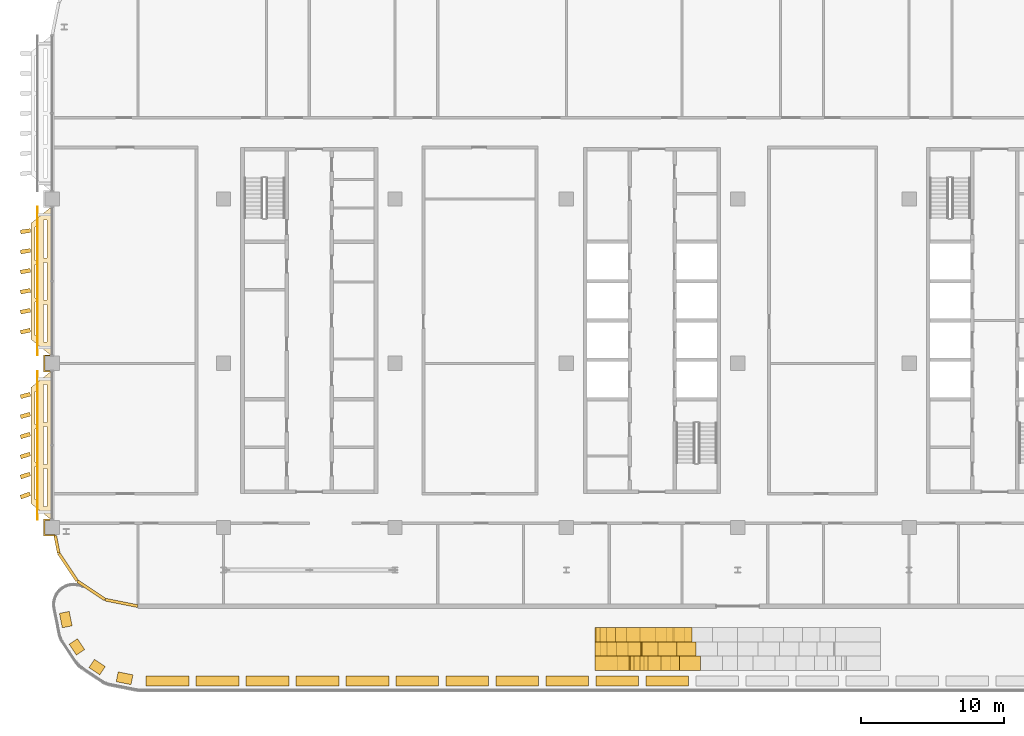
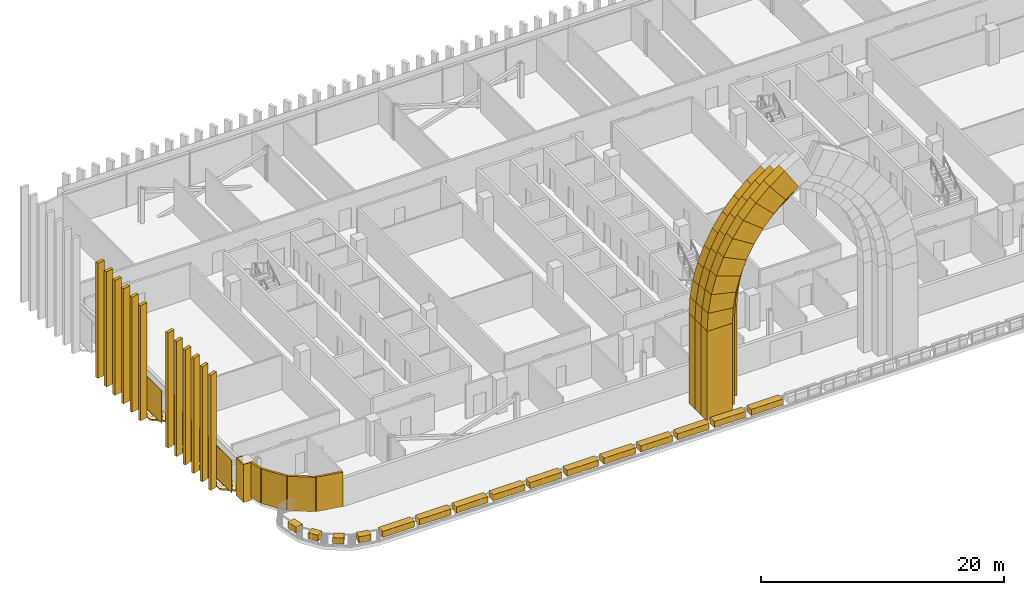
# One storey, part 22 of 30: 67 coverings.
"""IFC4 building model written with IfcOpenShell, lengths in metres."""

from ifc_helpers import new_model, si_unit, direction, frame, origin, origin_2d, place, context, subcontext, project, spatial, polyline, rectangle, outline, extrude, material, layer, layer_set, type_object, element, save


model = new_model("IFC4")

# Units and contexts
model_context = context("Model", 3, precision=1e-05, world=origin(), true_north=direction((0.0, 1.0)))
body_context = subcontext(model_context, "Body", "Model", "MODEL_VIEW")
ifc_project = project(units=[si_unit("LENGTHUNIT", "METRE"), si_unit("AREAUNIT", "SQUARE_METRE"), si_unit("VOLUMEUNIT", "CUBIC_METRE"), si_unit("PLANEANGLEUNIT", "RADIAN"), si_unit("MASSUNIT", "GRAM", prefix="KILO")], contexts=[model_context])

# Site, building, storey
site_placement = place(None, origin())
site = spatial("IfcSite", under=ifc_project, at=site_placement, CompositionType="ELEMENT")
building_placement = place(site_placement, origin())
building = spatial("IfcBuilding", under=site, at=building_placement, Name="Mahtab Terrace Research Tower", CompositionType="ELEMENT")
storey_placement = place(building_placement, frame((0.0, 0.0, 228.60009765625)))
storey = spatial("IfcBuildingStorey", under=building, at=storey_placement, Name="L55", CompositionType="ELEMENT", Elevation=228.60009765625)

# Coverings
ifc_material_1 = material(Name="Black aluminium cladding panel", Category="aluminium")
ifc_layer_1 = layer(ifc_material_1, 0.199951171875)
ifc_layer_set_1 = layer_set([ifc_layer_1], Name="Black metal corner cladding 200")
covering_type_1 = type_object("IfcCoveringType", Name="Black metal corner cladding 200", PredefinedType="CLADDING", material=ifc_layer_set_1)
covering_1_placement = place(storey_placement, frame((-41.668212890625, -12.6669921875, 0.0), z_axis=(0.0, 0.0, 1.0), x_axis=(0.195212442692, -0.980760981187, 0.0)))
element("IfcCovering", 1, at=covering_1_placement, inside=storey, type_object=covering_type_1, Name="Corner cladding L55 11", PredefinedType="CLADDING", context=body_context, shape_type="SweptSolid", body=[
    extrude(rectangle(XDim=1.24267578125, YDim=0.199951171875, at=origin_2d()), origin(), (0.0, 0.0, 1.0), 3.4599609375),
])
for number, where, z_axis, x_axis, name in (
    (2, (-40.89306640625, -14.26953125, 0.0), (0.0, 0.0, 1.0), (0.555291490808, -0.831655794326, 0.0), "Corner cladding L55 12"),
    (3, (-39.26953125, -15.89306640625, 0.0), (0.0, 0.0, 1.0), (0.831655794326, -0.555291490808, 0.0), "Corner cladding L55 13"),
    (4, (-37.14794921875, -16.771484375, 0.0), (0.0, 0.0, 1.0), (0.980760981187, -0.195212442692, 0.0), "Corner cladding L55 14"),
):
    element("IfcCovering", number, at=place(storey_placement, frame(where, z_axis=z_axis, x_axis=x_axis)), inside=storey, type_object=covering_type_1, Name=name, PredefinedType="CLADDING", context=body_context, shape_type="SweptSolid", body=[
        extrude(rectangle(XDim=2.30126953125, YDim=0.199951171875, at=origin_2d()), origin(), (0.0, 0.0, 1.0), 3.4599609375),
    ])
ifc_material_2 = material(Name="Dark anodised aluminium cladding", Category="aluminium")
ifc_layer_2 = layer(ifc_material_2, 0.10009765625)
ifc_layer_set_2 = layer_set([ifc_layer_2], Name="Column casing 100")
covering_type_2 = type_object("IfcCoveringType", Name="Column casing 100", PredefinedType="CLADDING", material=ifc_layer_set_2)
covering_2_placement = place(storey_placement, frame((0.0, 0.0, -0.340087890625)))
element("IfcCovering", 5, at=covering_2_placement, inside=storey, type_object=covering_type_2, Name="Column casing RC-1A L55", PredefinedType="CLADDING", context=body_context, shape_type="SweptSolid", body=[
    extrude(outline(polyline([(-42.60009765625, -10.89990234375), (-42.0, -10.89990234375), (-42.0, -11.0), (-42.5, -11.0), (-42.5, -12.0), (-41.801025390625, -12.0), (-41.781005859375, -12.10009765625), (-42.60009765625, -12.10009765625), (-42.60009765625, -10.89990234375)])), origin(), (0.0, 0.0, 1.0), 3.800048828125),
])
covering_3_placement = place(storey_placement, frame((0.0, 0.0, -0.340087890625)))
element("IfcCovering", 6, at=covering_3_placement, inside=storey, type_object=covering_type_2, Name="Column casing RC-1B L55", PredefinedType="CLADDING", context=body_context, shape_type="SweptSolid", body=[
    extrude(outline(polyline([(-42.60009765625, 0.60009765625), (-42.0, 0.60009765625), (-42.0, 0.5), (-42.5, 0.5), (-42.5, -0.5), (-42.0, -0.5), (-42.0, -0.60009765625), (-42.60009765625, -0.60009765625), (-42.60009765625, 0.60009765625)])), origin(), (0.0, 0.0, 1.0), 3.800048828125),
])
ifc_material_3 = material(Name="Black anodised aluminium", Category="aluminium")
ifc_layer_3 = layer(ifc_material_3, 0.14990234375)
ifc_layer_set_3 = layer_set([ifc_layer_3], Name="Horizontal sunshade band")
covering_type_3 = type_object("IfcCoveringType", Name="Horizontal sunshade band", PredefinedType="CLADDING", material=ifc_layer_set_3)
covering_4_placement = place(storey_placement, frame((0.0, 0.0, -0.150146484375)))
element("IfcCovering", 7, at=covering_4_placement, inside=storey, type_object=covering_type_3, Name="Sunshade band L55 9", PredefinedType="CLADDING", context=body_context, shape_type="SweptSolid", body=[
    extrude(outline(polyline([(-42.0, 11.0), (-42.0, 0.5), (-43.5, 1.699951171875), (-43.5, 9.800048828125), (-42.0, 11.0)]), holes=[polyline([(-42.35009765625, 10.02001953125), (-42.35009765625, 7.373046875), (-42.60009765625, 7.373046875), (-42.60009765625, 10.02001953125), (-42.35009765625, 10.02001953125)]), polyline([(-42.35009765625, 7.072998046875), (-42.35009765625, 4.427001953125), (-42.60009765625, 4.427001953125), (-42.60009765625, 7.072998046875), (-42.35009765625, 7.072998046875)]), polyline([(-42.35009765625, 4.126953125), (-42.35009765625, 1.47998046875), (-42.60009765625, 1.47998046875), (-42.60009765625, 4.126953125), (-42.35009765625, 4.126953125)]), polyline([(-42.949951171875, 9.5400390625), (-42.949951171875, 7.212890625), (-43.199951171875, 7.212890625), (-43.199951171875, 9.5400390625), (-42.949951171875, 9.5400390625)]), polyline([(-42.949951171875, 6.9130859375), (-42.949951171875, 4.5869140625), (-43.199951171875, 4.5869140625), (-43.199951171875, 6.9130859375), (-42.949951171875, 6.9130859375)]), polyline([(-42.949951171875, 4.287109375), (-42.949951171875, 1.9599609375), (-43.199951171875, 1.9599609375), (-43.199951171875, 4.287109375), (-42.949951171875, 4.287109375)])]), origin(), (0.0, 0.0, 1.0), 0.150146484375),
])
covering_5_placement = place(storey_placement, frame((0.0, 0.0, -0.150146484375)))
element("IfcCovering", 8, at=covering_5_placement, inside=storey, type_object=covering_type_3, Name="Sunshade band L55 10", PredefinedType="CLADDING", context=body_context, shape_type="SweptSolid", body=[
    extrude(outline(polyline([(-42.0, -0.5), (-42.0, -11.0), (-43.5, -9.800048828125), (-43.5, -1.699951171875), (-42.0, -0.5)]), holes=[polyline([(-42.35009765625, -1.47998046875), (-42.35009765625, -4.126953125), (-42.60009765625, -4.126953125), (-42.60009765625, -1.47998046875), (-42.35009765625, -1.47998046875)]), polyline([(-42.35009765625, -4.427001953125), (-42.35009765625, -7.072998046875), (-42.60009765625, -7.072998046875), (-42.60009765625, -4.427001953125), (-42.35009765625, -4.427001953125)]), polyline([(-42.35009765625, -7.373046875), (-42.35009765625, -10.02001953125), (-42.60009765625, -10.02001953125), (-42.60009765625, -7.373046875), (-42.35009765625, -7.373046875)]), polyline([(-42.949951171875, -1.9599609375), (-42.949951171875, -4.287109375), (-43.199951171875, -4.287109375), (-43.199951171875, -1.9599609375), (-42.949951171875, -1.9599609375)]), polyline([(-42.949951171875, -4.5869140625), (-42.949951171875, -6.9130859375), (-43.199951171875, -6.9130859375), (-43.199951171875, -4.5869140625), (-42.949951171875, -4.5869140625)]), polyline([(-42.949951171875, -7.212890625), (-42.949951171875, -9.5400390625), (-43.199951171875, -9.5400390625), (-43.199951171875, -7.212890625), (-42.949951171875, -7.212890625)])]), origin(), (0.0, 0.0, 1.0), 0.150146484375),
])
ifc_material_4 = material(Name="Glazed ceramic tile cladding", Category="masonry")
ifc_layer_4 = layer(ifc_material_4, 1.0)
ifc_layer_set_4 = layer_set([ifc_layer_4], Name="Iwan portal cladding arch course 800")
covering_type_4 = type_object("IfcCoveringType", Name="Iwan portal cladding arch course 800", PredefinedType="CLADDING", material=ifc_layer_set_4)
covering_6_placement = place(storey_placement, frame((-4.0, -18.5, 9.02978515625), z_axis=(0.0, 1.0, 0.0), x_axis=(0.055437093457, 0.0, 0.998462181892)))
element("IfcCovering", 9, at=covering_6_placement, inside=storey, type_object=covering_type_4, Name="Iwan portal arch course 6.1.1W1", PredefinedType="CLADDING", context=body_context, shape_type="SweptSolid", body=[
    extrude(outline(polyline([(0.0, 0.0), (1.6426628354032278, -1.3877787807814457e-17), (1.420583357484056, 3.993305934573356), (0.22174837382899998, 3.993848727568959), (0.0, 0.0)])), origin(), (0.0, 0.0, -1.0), 1.0),
])
covering_7_placement = place(storey_placement, frame((-3.908935546875, -18.5, 10.669921875), z_axis=(0.0, 1.0, 0.0), x_axis=(0.165677060377, 0.0, 0.986180060468)))
element("IfcCovering", 10, at=covering_7_placement, inside=storey, type_object=covering_type_4, Name="Iwan portal arch course 6.1.1W2", PredefinedType="CLADDING", context=body_context, shape_type="SweptSolid", body=[
    extrude(outline(polyline([(0.0, 0.0), (1.6415830630429322, -5.551115123125783e-17), (1.4193450554209004, 3.9938702539651763), (0.2215506372685931, 3.993335309830307), (0.0, 0.0)])), origin(), (0.0, 0.0, -1.0), 1.0),
])
covering_8_placement = place(storey_placement, frame((-3.636962890625, -18.5, 12.288818359375), z_axis=(0.0, 1.0, 0.0), x_axis=(0.273877063841, 0.0, 0.961764708181)))
element("IfcCovering", 11, at=covering_8_placement, inside=storey, type_object=covering_type_4, Name="Iwan portal arch course 6.1.1W3", PredefinedType="CLADDING", context=body_context, shape_type="SweptSolid", body=[
    extrude(outline(polyline([(0.0, 0.0), (1.6428946826182138, 0.0), (1.4203357913264014, 3.9946980819467073), (0.22144925956694084, 3.9939140655473455), (0.0, 0.0)])), origin(), (0.0, 0.0, -1.0), 1.0),
])
covering_9_placement = place(storey_placement, frame((-3.18701171875, -18.5, 13.868896484375), z_axis=(0.0, 1.0, 0.0), x_axis=(0.379269308261, 0.0, 0.925286329636)))
element("IfcCovering", 12, at=covering_9_placement, inside=storey, type_object=covering_type_4, Name="Iwan portal arch course 6.1.1W4", PredefinedType="CLADDING", context=body_context, shape_type="SweptSolid", body=[
    extrude(outline(polyline([(0.0, 0.0), (1.6427558503407425, 0.0), (1.422137776305045, 3.9941519644603893), (0.22364736885833691, 3.9946372902185354), (0.0, 0.0)])), origin(), (0.0, 0.0, -1.0), 1.0),
])
covering_10_placement = place(storey_placement, frame((-2.56396484375, -18.5, 15.388916015625), z_axis=(0.0, 1.0, 0.0), x_axis=(0.478820864805, 0.0, 0.877912626306)))
element("IfcCovering", 13, at=covering_10_placement, inside=storey, type_object=covering_type_4, Name="Iwan portal arch course 6.1.1W5", PredefinedType="CLADDING", context=body_context, shape_type="SweptSolid", body=[
    extrude(outline(polyline([(0.0, 0.0), (1.6412999717443724, 0.0), (1.4188001105659165, 3.9943428938694208), (0.22040329418192073, 3.994163822091899), (0.0, 0.0)])), origin(), (0.0, 0.0, -1.0), 1.0),
])
covering_11_placement = place(storey_placement, frame((-1.778076171875, -18.5, 16.829833984375), z_axis=(0.0, 1.0, 0.0), x_axis=(0.57345237108, 0.0, 0.819238901727)))
element("IfcCovering", 14, at=covering_11_placement, inside=storey, type_object=covering_type_4, Name="Iwan portal arch course 6.1.1W6", PredefinedType="CLADDING", context=body_context, shape_type="SweptSolid", body=[
    extrude(outline(polyline([(0.0, 0.0), (1.6429240149458537, -1.1102230246251565e-16), (1.4213467601284338, 3.994052927058391), (0.22294006213898498, 3.9943183486951863), (0.0, 0.0)])), origin(), (0.0, 0.0, -1.0), 1.0),
])
covering_12_placement = place(storey_placement, frame((-0.8359375, -18.5, 18.17578125), z_axis=(0.0, 1.0, 0.0), x_axis=(0.660554175067, 0.0, 0.750778383947)))
element("IfcCovering", 15, at=covering_12_placement, inside=storey, type_object=covering_type_4, Name="Iwan portal arch course 6.1.1W7", PredefinedType="CLADDING", context=body_context, shape_type="SweptSolid", body=[
    extrude(outline(polyline([(0.0, 0.0), (1.6425010672149212, 0.0), (1.420553074040769, 3.9940673824729047), (0.2215888051128696, 3.9940522862682677), (0.0, 0.0)])), origin(), (0.0, 0.0, -1.0), 1.0),
])
covering_13_placement = place(storey_placement, frame((0.2490234375, -18.5, 19.408935546875), z_axis=(0.0, 1.0, 0.0), x_axis=(0.739832443814, 0.0, 0.672791167511)))
element("IfcCovering", 16, at=covering_13_placement, inside=storey, type_object=covering_type_4, Name="Iwan portal arch course 6.1.1W8", PredefinedType="CLADDING", context=body_context, shape_type="SweptSolid", body=[
    extrude(outline(polyline([(0.0, 0.0), (1.6423825432165557, 0.0), (1.4205958172984652, 3.993860746021702), (0.22290646608915798, 3.9940140053314326), (0.0, 0.0)])), origin(), (0.0, 0.0, -1.0), 1.0),
])
covering_14_placement = place(storey_placement, frame((1.464111328125, -18.5, 20.513916015625), z_axis=(0.0, 1.0, 0.0), x_axis=(0.80968637444, 0.0, 0.586862824727)))
element("IfcCovering", 17, at=covering_14_placement, inside=storey, type_object=covering_type_4, Name="Iwan portal arch course 6.1.1W9", PredefinedType="CLADDING", context=body_context, shape_type="SweptSolid", body=[
    extrude(outline(polyline([(0.0, 0.0), (1.6424062777333286, 0.0), (1.419830523295164, 3.994594574532145), (0.22117310543967927, 3.993894774256911), (0.0, 0.0)])), origin(), (0.0, 0.0, -1.0), 1.0),
])
covering_15_placement = place(storey_placement, frame((-4.0, -19.5, 9.02978515625), z_axis=(0.0, 1.0, 0.0), x_axis=(0.055414791033, 0.0, 0.998463419928)))
element("IfcCovering", 18, at=covering_15_placement, inside=storey, type_object=covering_type_4, Name="Iwan portal arch course 6.1.2W1", PredefinedType="CLADDING", context=body_context, shape_type="SweptSolid", body=[
    extrude(outline(polyline([(0.0, 0.0), (1.7138150546847593, 0.0), (1.53559528921418, 3.1947165895330354), (0.1773246255060681, 3.195034190673602), (0.0, 0.0)])), origin(), (0.0, 0.0, -1.0), 1.0),
])
covering_16_placement = place(storey_placement, frame((-3.905029296875, -19.5, 10.740966796875), z_axis=(0.0, 1.0, 0.0), x_axis=(0.165785799005, 0.0, 0.986161786345)))
element("IfcCovering", 19, at=covering_16_placement, inside=storey, type_object=covering_type_4, Name="Iwan portal arch course 6.1.2W2", PredefinedType="CLADDING", context=body_context, shape_type="SweptSolid", body=[
    extrude(outline(polyline([(0.0, 0.0), (1.7126650688919498, 0.0), (1.5359019355573533, 3.195596476591268), (0.17711933464351381, 3.1947777878183348), (0.0, 0.0)])), origin(), (0.0, 0.0, -1.0), 1.0),
])
covering_17_placement = place(storey_placement, frame((-3.62109375, -19.5, 12.429931640625), z_axis=(0.0, 1.0, 0.0), x_axis=(0.274382426851, 0.0, 0.961620654851)))
element("IfcCovering", 20, at=covering_17_placement, inside=storey, type_object=covering_type_4, Name="Iwan portal arch course 6.1.2W3", PredefinedType="CLADDING", context=body_context, shape_type="SweptSolid", body=[
    extrude(outline(polyline([(0.0, 0.0), (1.713720696864449, 5.551115123125783e-17), (1.5376752509642477, 3.1948456415062), (0.17956262352972663, 3.1954403938643434), (0.0, 0.0)])), origin(), (0.0, 0.0, -1.0), 1.0),
])
covering_18_placement = place(storey_placement, frame((-3.15087890625, -19.5, 14.077880859375), z_axis=(0.0, 1.0, 0.0), x_axis=(0.378699417283, 0.0, 0.92551971959)))
element("IfcCovering", 21, at=covering_18_placement, inside=storey, type_object=covering_type_4, Name="Iwan portal arch course 6.1.2W4", PredefinedType="CLADDING", context=body_context, shape_type="SweptSolid", body=[
    extrude(outline(polyline([(0.0, 0.0), (1.7135642455061826, 1.1102230246251565e-16), (1.5350054427666175, 3.194460439463735), (0.17715930267169022, 3.194784069941229), (0.0, 0.0)])), origin(), (0.0, 0.0, -1.0), 1.0),
])
covering_19_placement = place(storey_placement, frame((-2.501953125, -19.5, 15.663818359375), z_axis=(0.0, 1.0, 0.0), x_axis=(0.47912161862, 0.0, 0.877748525815)))
element("IfcCovering", 22, at=covering_19_placement, inside=storey, type_object=covering_type_4, Name="Iwan portal arch course 6.1.2W5", PredefinedType="CLADDING", context=body_context, shape_type="SweptSolid", body=[
    extrude(outline(polyline([(0.0, 0.0), (1.7136461599040989, 0.0), (1.5356029844122554, 3.194876883952446), (0.17723789446701588, 3.1945339995216084), (0.0, 0.0)])), origin(), (0.0, 0.0, -1.0), 1.0),
])
covering_20_placement = place(storey_placement, frame((-1.680908203125, -19.5, 17.16796875), z_axis=(0.0, 1.0, 0.0), x_axis=(0.573443206404, 0.0, 0.819245316757)))
element("IfcCovering", 23, at=covering_20_placement, inside=storey, type_object=covering_type_4, Name="Iwan portal arch course 6.1.2W6", PredefinedType="CLADDING", context=body_context, shape_type="SweptSolid", body=[
    extrude(outline(polyline([(0.0, 0.0), (1.7123467202747786, -1.1102230246251565e-16), (1.5355652047010802, 3.194700349472504), (0.17711226829331395, 3.1949286252392097), (0.0, 0.0)])), origin(), (0.0, 0.0, -1.0), 1.0),
])
covering_21_placement = place(storey_placement, frame((-0.698974609375, -19.5, 18.57080078125), z_axis=(0.0, 1.0, 0.0), x_axis=(0.660438440823, 0.0, 0.750880194095)))
element("IfcCovering", 24, at=covering_21_placement, inside=storey, type_object=covering_type_4, Name="Iwan portal arch course 6.1.2W7", PredefinedType="CLADDING", context=body_context, shape_type="SweptSolid", body=[
    extrude(outline(polyline([(0.0, 0.0), (1.714134139004412, 0.0), (1.5347840627620657, 3.1955238171953684), (0.17723173854805974, 3.194675404171683), (0.0, 0.0)])), origin(), (0.0, 0.0, -1.0), 1.0),
])
covering_22_placement = place(storey_placement, frame((0.43310546875, -19.5, 19.85791015625), z_axis=(0.0, 1.0, 0.0), x_axis=(0.739817486013, 0.0, 0.672807615436)))
element("IfcCovering", 25, at=covering_22_placement, inside=storey, type_object=covering_type_4, Name="Iwan portal arch course 6.1.2W8", PredefinedType="CLADDING", context=body_context, shape_type="SweptSolid", body=[
    extrude(outline(polyline([(0.0, 0.0), (1.712375994181273, 0.0), (1.535414166234869, 3.195508454565166), (0.1769960791684828, 3.1956550665035763), (0.0, 0.0)])), origin(), (0.0, 0.0, -1.0), 1.0),
])
covering_23_placement = place(storey_placement, frame((1.699951171875, -19.5, 21.010009765625), z_axis=(0.0, 1.0, 0.0), x_axis=(0.809720417913, 0.0, 0.586815852559)))
element("IfcCovering", 26, at=covering_23_placement, inside=storey, type_object=covering_type_4, Name="Iwan portal arch course 6.1.2W9", PredefinedType="CLADDING", context=body_context, shape_type="SweptSolid", body=[
    extrude(outline(polyline([(0.0, 0.0), (1.7140971407176187, -1.1102230246251565e-16), (1.5362396927436595, 3.195578256446746), (0.17770601068267022, 3.1954671560688652), (0.0, 0.0)])), origin(), (0.0, 0.0, -1.0), 1.0),
])
covering_24_placement = place(storey_placement, frame((-4.0, -20.5, 9.02978515625), z_axis=(0.0, 1.0, 0.0), x_axis=(0.055530621335, 0.0, 0.998456984599)))
element("IfcCovering", 27, at=covering_24_placement, inside=storey, type_object=covering_type_4, Name="Iwan portal arch course 6.1.3W1", PredefinedType="CLADDING", context=body_context, shape_type="SweptSolid", body=[
    extrude(outline(polyline([(0.0, 0.0), (1.7849808153889954, 0.0), (1.6517056679255546, 2.3958633307657347), (0.1332680682922902, 2.3961992574722126), (0.0, 0.0)])), origin(), (0.0, 0.0, -1.0), 1.0),
])
covering_25_placement = place(storey_placement, frame((-3.90087890625, -20.5, 10.81201171875), z_axis=(0.0, 1.0, 0.0), x_axis=(0.165908262547, 0.0, 0.986141190915)))
element("IfcCovering", 28, at=covering_25_placement, inside=storey, type_object=covering_type_4, Name="Iwan portal arch course 6.1.3W2", PredefinedType="CLADDING", context=body_context, shape_type="SweptSolid", body=[
    extrude(outline(polyline([(0.0, 0.0), (1.7835063363174717, 0.0), (1.6513913643461942, 2.3961917830340678), (0.13322705333547458, 2.3958660056227745), (0.0, 0.0)])), origin(), (0.0, 0.0, -1.0), 1.0),
])
covering_26_placement = place(storey_placement, frame((-3.60498046875, -20.5, 12.57080078125), z_axis=(0.0, 1.0, 0.0), x_axis=(0.27405244569, 0.0, 0.961714748255)))
element("IfcCovering", 29, at=covering_26_placement, inside=storey, type_object=covering_type_4, Name="Iwan portal arch course 6.1.3W3", PredefinedType="CLADDING", context=body_context, shape_type="SweptSolid", body=[
    extrude(outline(polyline([(0.0, 0.0), (1.7843798862797897, -5.551115123125783e-17), (1.6520266547888047, 2.39607236679694), (0.1339505898422394, 2.3960898702636078), (0.0, 0.0)])), origin(), (0.0, 0.0, -1.0), 1.0),
])
covering_27_placement = place(storey_placement, frame((-3.115966796875, -20.5, 14.286865234375), z_axis=(0.0, 1.0, 0.0), x_axis=(0.378712726955, 0.0, 0.925514273495)))
element("IfcCovering", 30, at=covering_27_placement, inside=storey, type_object=covering_type_4, Name="Iwan portal arch course 6.1.3W4", PredefinedType="CLADDING", context=body_context, shape_type="SweptSolid", body=[
    extrude(outline(polyline([(0.0, 0.0), (1.7850611888858914, 0.0), (1.6515180705967392, 2.396037240593148), (0.13340207549403738, 2.3960142009320142), (0.0, 0.0)])), origin(), (0.0, 0.0, -1.0), 1.0),
])
covering_28_placement = place(storey_placement, frame((-2.43994140625, -20.5, 15.93896484375), z_axis=(0.0, 1.0, 0.0), x_axis=(0.479216417131, 0.0, 0.877696773124)))
element("IfcCovering", 31, at=covering_28_placement, inside=storey, type_object=covering_type_4, Name="Iwan portal arch course 6.1.3W5", PredefinedType="CLADDING", context=body_context, shape_type="SweptSolid", body=[
    extrude(outline(polyline([(0.0, 0.0), (1.7841218250999835, 1.1102230246251565e-16), (1.6510819164880242, 2.3958358657926637), (0.13354771619989414, 2.396036984324201), (0.0, 0.0)])), origin(), (0.0, 0.0, -1.0), 1.0),
])
covering_29_placement = place(storey_placement, frame((-1.5849609375, -20.5, 17.5048828125), z_axis=(0.0, 1.0, 0.0), x_axis=(0.573315404185, 0.0, 0.819334759012)))
element("IfcCovering", 32, at=covering_29_placement, inside=storey, type_object=covering_type_4, Name="Iwan portal arch course 6.1.3W6", PredefinedType="CLADDING", context=body_context, shape_type="SweptSolid", body=[
    extrude(outline(polyline([(0.0, 0.0), (1.7842695509021305, -1.1102230246251565e-16), (1.651094607715592, 2.3962295208540683), (0.13265548567195573, 2.395857181724966), (0.0, 0.0)])), origin(), (0.0, 0.0, -1.0), 1.0),
])
covering_30_placement = place(storey_placement, frame((-0.56201171875, -20.5, 18.966796875), z_axis=(0.0, 1.0, 0.0), x_axis=(0.660797539154, 0.0, 0.750564195954)))
element("IfcCovering", 33, at=covering_30_placement, inside=storey, type_object=covering_type_4, Name="Iwan portal arch course 6.1.3W7", PredefinedType="CLADDING", context=body_context, shape_type="SweptSolid", body=[
    extrude(outline(polyline([(0.0, 0.0), (1.7841396316850948, 1.1102230246251565e-16), (1.651444218473985, 2.396360380901658), (0.13388116550282625, 2.3961901668333545), (0.0, 0.0)])), origin(), (0.0, 0.0, -1.0), 1.0),
])
covering_31_placement = place(storey_placement, frame((0.616943359375, -20.5, 20.305908203125), z_axis=(0.0, 1.0, 0.0), x_axis=(0.739698607121, 0.0, 0.672938311157)))
element("IfcCovering", 34, at=covering_31_placement, inside=storey, type_object=covering_type_4, Name="Iwan portal arch course 6.1.3W8", PredefinedType="CLADDING", context=body_context, shape_type="SweptSolid", body=[
    extrude(outline(polyline([(0.0, 0.0), (1.7846030081264783, -1.1102230246251565e-16), (1.6508346261543967, 2.395297922887341), (0.13295193398062377, 2.396346162617834), (0.0, 0.0)])), origin(), (0.0, 0.0, -1.0), 1.0),
])
covering_32_placement = place(storey_placement, frame((1.93701171875, -20.5, 21.5068359375), z_axis=(0.0, 1.0, 0.0), x_axis=(0.80956979059, 0.0, 0.587023640209)))
element("IfcCovering", 35, at=covering_32_placement, inside=storey, type_object=covering_type_4, Name="Iwan portal arch course 6.1.3W9", PredefinedType="CLADDING", context=body_context, shape_type="SweptSolid", body=[
    extrude(outline(polyline([(0.0, 0.0), (1.7837767832508935, 0.0), (1.6506161084377848, 2.3962084118475846), (0.13189983204262967, 2.3954015433139735), (0.0, 0.0)])), origin(), (0.0, 0.0, -1.0), 1.0),
])
ifc_layer_5 = layer(ifc_material_4, 1.0)
ifc_layer_set_5 = layer_set([ifc_layer_5], Name="Iwan portal cladding pilaster 900")
covering_type_5 = type_object("IfcCoveringType", Name="Iwan portal cladding pilaster 900", PredefinedType="CLADDING", material=ifc_layer_set_5)
covering_33_placement = place(storey_placement, frame((-2.0, -19.0, 0.02978515625), z_axis=(0.0, 0.0, 1.0), x_axis=(1.0, 0.0, 0.0)))
element("IfcCovering", 36, at=covering_33_placement, inside=storey, type_object=covering_type_5, Name="Iwan portal pilaster 6.1.1W", PredefinedType="CLADDING", context=body_context, shape_type="SweptSolid", body=[
    extrude(rectangle(XDim=4.0, YDim=1.0, at=origin_2d()), origin(), (0.0, 0.0, 1.0), 9.0),
])
covering_34_placement = place(storey_placement, frame((-2.39990234375, -20.0, 0.02978515625), z_axis=(0.0, 0.0, 1.0), x_axis=(1.0, 0.0, 0.0)))
element("IfcCovering", 37, at=covering_34_placement, inside=storey, type_object=covering_type_5, Name="Iwan portal pilaster 6.1.2W", PredefinedType="CLADDING", context=body_context, shape_type="SweptSolid", body=[
    extrude(rectangle(XDim=3.199951171875, YDim=1.0, at=origin_2d()), origin(), (0.0, 0.0, 1.0), 9.0),
])
covering_35_placement = place(storey_placement, frame((-2.800048828125, -21.0, 0.02978515625), z_axis=(0.0, 0.0, 1.0), x_axis=(1.0, 0.0, 0.0)))
element("IfcCovering", 38, at=covering_35_placement, inside=storey, type_object=covering_type_5, Name="Iwan portal pilaster 6.1.3W", PredefinedType="CLADDING", context=body_context, shape_type="SweptSolid", body=[
    extrude(rectangle(XDim=2.39990234375, YDim=1.0, at=origin_2d()), origin(), (0.0, 0.0, 1.0), 9.0),
])
ifc_material_5 = material(Name="Planting soil and shrubs")
ifc_layer_6 = layer(ifc_material_5, 0.1201171875)
ifc_layer_set_6 = layer_set([ifc_layer_6], Name="Planter")
covering_type_6 = type_object("IfcCoveringType", Name="Planter", PredefinedType="USERDEFINED", material=ifc_layer_set_6)
covering_36_placement = place(storey_placement, frame((-41.0478515625, -17.941162109375, 0.02978515625), z_axis=(0.0, 0.0, 1.0), x_axis=(0.195395445655, -0.980724538195, 0.0)))
element("IfcCovering", 39, at=covering_36_placement, inside=storey, type_object=covering_type_6, Name="PLANTER terrace 6", ObjectType="PLANTER", PredefinedType="USERDEFINED", context=body_context, shape_type="SweptSolid", body=[
    extrude(rectangle(XDim=1.0341796875, YDim=0.699951171875, at=origin_2d()), origin(), (0.0, 0.0, 1.0), 0.60009765625),
])
for number, where, z_axis, x_axis, name in (
    (40, (-40.268798828125, -19.853759765625, 0.02978515625), (0.0, 0.0, 1.0), (0.555757494231, -0.831344457855, 0.0), "PLANTER terrace 6"),
    (41, (-38.853759765625, -21.268798828125, 0.02978515625), (0.0, 0.0, 1.0), (0.831344457855, -0.555757494231, 0.0), "PLANTER terrace 6"),
):
    element("IfcCovering", number, at=place(storey_placement, frame(where, z_axis=z_axis, x_axis=x_axis)), inside=storey, type_object=covering_type_6, Name=name, ObjectType="PLANTER", PredefinedType="USERDEFINED", context=body_context, shape_type="SweptSolid", body=[
        extrude(rectangle(XDim=0.908447265625, YDim=0.699951171875, at=origin_2d()), origin(), (0.0, 0.0, 1.0), 0.60009765625),
    ])
covering_37_placement = place(storey_placement, frame((-36.92822265625, -22.05029296875, 0.02978515625), z_axis=(0.0, 0.0, 1.0), x_axis=(0.980742754391, -0.195303993071, 0.0)))
element("IfcCovering", 42, at=covering_37_placement, inside=storey, type_object=covering_type_6, Name="PLANTER terrace 6", ObjectType="PLANTER", PredefinedType="USERDEFINED", context=body_context, shape_type="SweptSolid", body=[
    extrude(rectangle(XDim=1.060546875, YDim=0.699951171875, at=origin_2d()), origin(), (0.0, 0.0, 1.0), 0.60009765625),
])
for number, where, z_axis, x_axis, name in (
    (43, (-33.93408203125, -22.25, 0.02978515625), (0.0, 0.0, 1.0), (1.0, 0.0, 0.0), "PLANTER terrace 6"),
    (44, (-30.43408203125, -22.25, 0.02978515625), (0.0, 0.0, 1.0), (1.0, 0.0, 0.0), "PLANTER terrace 6"),
    (45, (-26.93408203125, -22.25, 0.02978515625), (0.0, 0.0, 1.0), (1.0, 0.0, 0.0), "PLANTER terrace 6"),
    (46, (-23.43408203125, -22.25, 0.02978515625), (0.0, 0.0, 1.0), (1.0, 0.0, 0.0), "PLANTER terrace 6"),
    (47, (-19.93408203125, -22.25, 0.02978515625), (0.0, 0.0, 1.0), (1.0, 0.0, 0.0), "PLANTER terrace 6"),
    (48, (-16.43408203125, -22.25, 0.02978515625), (0.0, 0.0, 1.0), (1.0, 0.0, 0.0), "PLANTER terrace 6"),
    (49, (-12.93408203125, -22.25, 0.02978515625), (0.0, 0.0, 1.0), (1.0, 0.0, 0.0), "PLANTER terrace 6"),
    (50, (-9.43408203125, -22.25, 0.02978515625), (0.0, 0.0, 1.0), (1.0, 0.0, 0.0), "PLANTER terrace 6"),
    (51, (-5.93408203125, -22.25, 0.02978515625), (0.0, 0.0, 1.0), (1.0, 0.0, 0.0), "PLANTER terrace 6"),
    (52, (-2.43408203125, -22.25, 0.02978515625), (0.0, 0.0, 1.0), (1.0, 0.0, 0.0), "PLANTER terrace 6"),
    (53, (1.06591796875, -22.25, 0.02978515625), (0.0, 0.0, 1.0), (1.0, 0.0, 0.0), "PLANTER terrace 6"),
):
    element("IfcCovering", number, at=place(storey_placement, frame(where, z_axis=z_axis, x_axis=x_axis)), inside=storey, type_object=covering_type_6, Name=name, ObjectType="PLANTER", PredefinedType="USERDEFINED", context=body_context, shape_type="SweptSolid", body=[
        extrude(rectangle(XDim=3.0, YDim=0.699951171875, at=origin_2d()), origin(), (0.0, 0.0, 1.0), 0.60009765625),
    ])
ifc_material_6 = material(Name="Bronze anodised aluminium", Category="aluminium")
ifc_layer_7 = layer(ifc_material_6, 0.050048828125)
ifc_layer_set_7 = layer_set([ifc_layer_7], Name="Sky lounge girih screen panel")
covering_type_7 = type_object("IfcCoveringType", Name="Sky lounge girih screen panel", PredefinedType="CLADDING", material=ifc_layer_set_7)
for number, where, z_axis, x_axis, name in (
    (54, (-43.02490234375, 5.75, 0.10009765625), (0.0, 0.0, 1.0), (0.0, -1.0, 0.0), "Girih screen L55 W10"),
    (55, (-43.02490234375, -5.75, 0.10009765625), (0.0, 0.0, 1.0), (0.0, -1.0, 0.0), "Girih screen L55 W11"),
):
    element("IfcCovering", number, at=place(storey_placement, frame(where, z_axis=z_axis, x_axis=x_axis)), inside=storey, type_object=covering_type_7, Name=name, PredefinedType="CLADDING", context=body_context, shape_type="SweptSolid", body=[
        extrude(rectangle(XDim=10.39990234375, YDim=0.050048828125, at=origin_2d()), origin(), (0.0, 0.0, 1.0), 3.260009765625),
    ])
ifc_layer_8 = layer(ifc_material_6, 0.1201171875)
ifc_layer_set_8 = layer_set([ifc_layer_8], Name="Vertical fin 700")
covering_type_8 = type_object("IfcCoveringType", Name="Vertical fin 700", PredefinedType="CLADDING", material=ifc_layer_set_8)
for number, where, z_axis, x_axis, name in (
    (56, (-43.8662109375, 9.25, -0.14990234375), (0.0, 0.0, 1.0), (0.140697944584, -0.990052568498, 0.0), "Fin L55 W1"),
    (57, (-43.867431640625, 7.85009765625, -0.14990234375), (0.0, 0.0, 1.0), (0.154913243657, -0.987928077817, 0.0), "Fin L55 W2"),
    (58, (-43.86865234375, 6.449951171875, -0.14990234375), (0.0, 0.0, 1.0), (0.169096539483, -0.985599492865, 0.0), "Fin L55 W3"),
    (59, (-43.86962890625, 5.050048828125, -0.14990234375), (0.0, 0.0, 1.0), (0.183244901944, -0.983067294701, 0.0), "Fin L55 W4"),
    (60, (-43.870849609375, 3.64990234375, -0.14990234375), (0.0, 0.0, 1.0), (0.19735540819, -0.980332006444, 0.0), "Fin L55 W5"),
    (61, (-43.87158203125, 2.25, -0.14990234375), (0.0, 0.0, 1.0), (0.21142514314, -0.977394193173, 0.0), "Fin L55 W6"),
    (62, (-43.874267578125, -2.25, -0.14990234375), (0.0, 0.0, 1.0), (0.256338991477, -0.966586944588, 0.0), "Fin L55 W1"),
    (63, (-43.874755859375, -3.64990234375, -0.14990234375), (0.0, 0.0, 1.0), (0.270205078679, -0.962802791571, 0.0), "Fin L55 W2"),
    (64, (-43.875244140625, -5.050048828125, -0.14990234375), (0.0, 0.0, 1.0), (0.284015344704, -0.958819734868, 0.0), "Fin L55 W3"),
    (65, (-43.875732421875, -6.449951171875, -0.14990234375), (0.0, 0.0, 1.0), (0.297766936513, -0.954638597334, 0.0), "Fin L55 W4"),
    (66, (-43.876220703125, -7.85009765625, -0.14990234375), (0.0, 0.0, 1.0), (0.311457013191, -0.950260242741, 0.0), "Fin L55 W5"),
    (67, (-43.87646484375, -9.25, -0.14990234375), (0.0, 0.0, 1.0), (0.325082746511, -0.945685575612, 0.0), "Fin L55 W6"),
):
    element("IfcCovering", number, at=place(storey_placement, frame(where, z_axis=z_axis, x_axis=x_axis)), inside=storey, type_object=covering_type_8, Name=name, PredefinedType="CLADDING", context=body_context, shape_type="SweptSolid", body=[
        extrude(rectangle(XDim=0.280029296875, YDim=0.699951171875, at=origin_2d()), origin(), (0.0, 0.0, 1.0), 11.550048828125),
    ])

save(model, "model.ifc")
